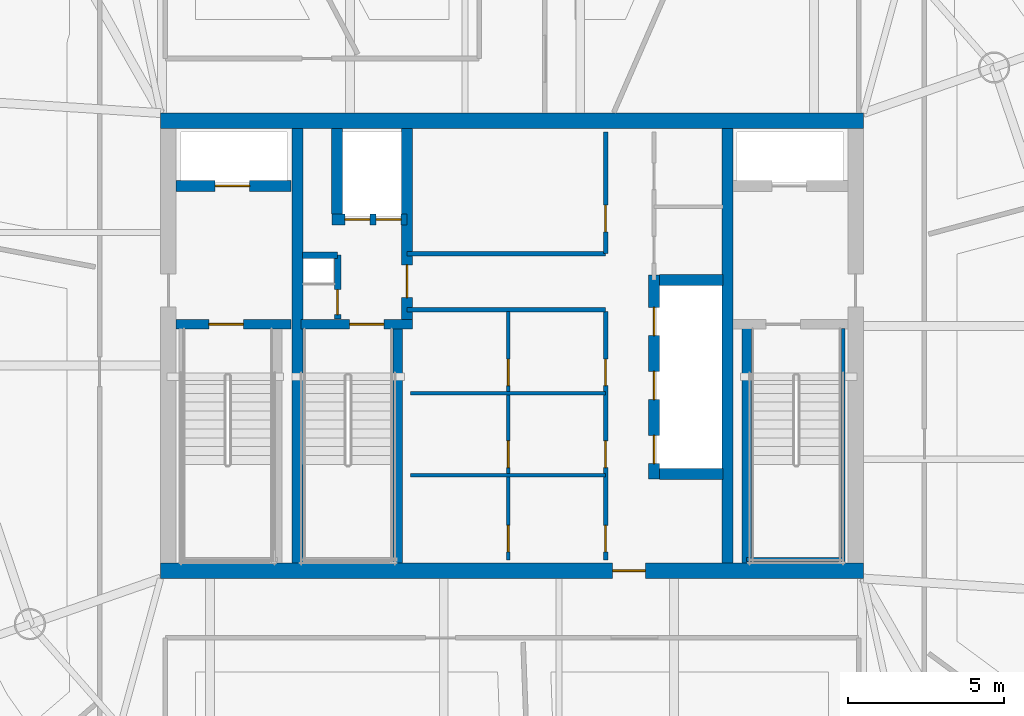
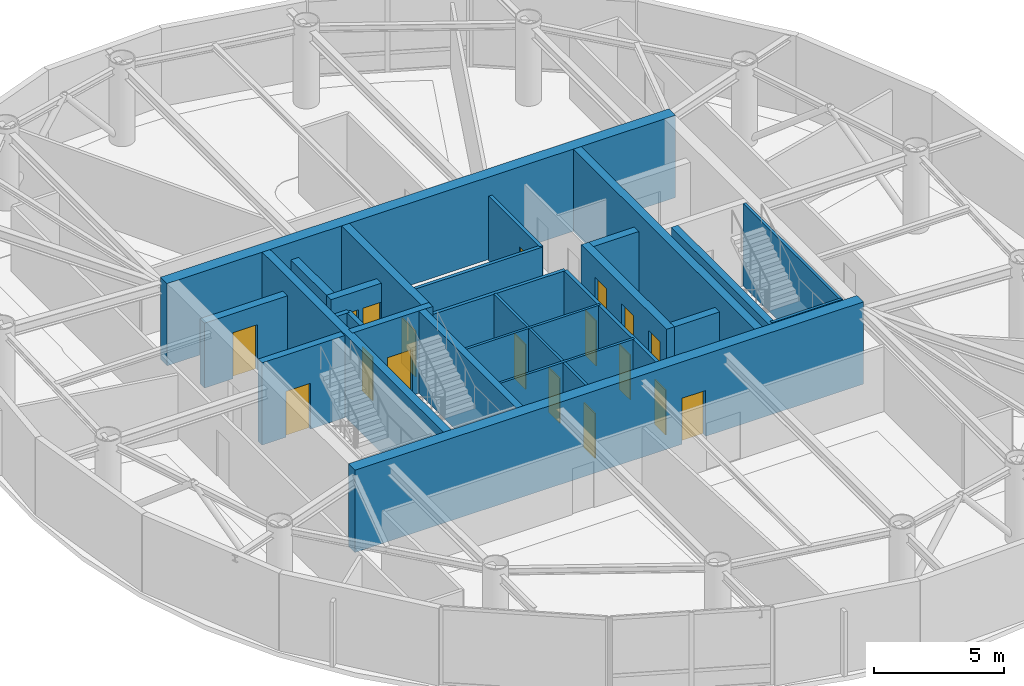
# One storey, part 15 of 20: 26 walls, 18 doors, 18 openings.
"""IFC4 building model written with IfcOpenShell, lengths in metres."""

from ifc_helpers import new_model, si_unit, direction, frame, frame_2d, origin, place, context, subcontext, project, spatial, rectangle, extrude, material, layer, layer_set, type_object, element, fill, save


model = new_model("IFC4")

# Units and contexts
model_context = context("Model", 3, precision=1e-05, world=origin(), true_north=direction((0.0, 1.0)))
body_context = subcontext(model_context, "Body", "Model", "MODEL_VIEW")
ifc_project = project(units=[si_unit("LENGTHUNIT", "METRE"), si_unit("AREAUNIT", "SQUARE_METRE"), si_unit("VOLUMEUNIT", "CUBIC_METRE"), si_unit("PLANEANGLEUNIT", "RADIAN"), si_unit("MASSUNIT", "GRAM", prefix="KILO")], contexts=[model_context])

# Site, building, storey
site_placement = place(None, origin())
site = spatial("IfcSite", under=ifc_project, at=site_placement, CompositionType="ELEMENT")
building_placement = place(site_placement, origin())
building = spatial("IfcBuilding", under=site, at=building_placement, Name="Bramvorn Convention Spire", CompositionType="ELEMENT")
storey_placement = place(building_placement, frame((0.0, 0.0, 269.0)))
storey = spatial("IfcBuildingStorey", under=building, at=storey_placement, Name="L68", CompositionType="ELEMENT", Elevation=269.0)

# Wall, opening, door
ifc_material_1 = material(Name="Concrete C50/60", Category="concrete")
ifc_layer_1 = layer(ifc_material_1, 0.5)
ifc_layer_set_1 = layer_set([ifc_layer_1], Name="Concrete C50/60 - WL-CORE-500")
wall_type_1 = type_object("IfcWallType", Name="WL-CORE-500", PredefinedType="SHEAR", material=ifc_layer_set_1)
wall_1_placement = place(storey_placement, frame((26.75, 18.800048828125, 0.0), z_axis=(0.0, 0.0, 1.0), x_axis=(1.0, 0.0, 0.0)))
wall_1 = element("IfcWall", 1, at=wall_1_placement, inside=storey, type_object=wall_type_1, Name="L68 South RC core shear wall", PredefinedType="SHEAR", context=body_context, shape_type="SweptSolid", body=[
    extrude(rectangle(XDim=22.5, YDim=0.5, at=frame_2d((11.25, 0.0))), origin(), (0.0, 0.0, 1.0), 3.85009765625),
])
opening_1_placement = place(wall_1_placement, frame((14.469970703125, 0.0, 0.0)))
opening_1 = element("IfcOpeningElement", 2, at=opening_1_placement, cuts=wall_1, Name="Opening DL-105", PredefinedType="OPENING", context=body_context, shape_type="SweptSolid", body=[
    extrude(rectangle(XDim=1.050048828125, YDim=2.14990234375, at=frame_2d((0.52490234375, 1.074951171875))), frame((0.0, 0.260009765625, 0.0), z_axis=(0.0, -1.0, 0.0), x_axis=(1.0, 0.0, 0.0)), (0.0, 0.0, 1.0), 0.52001953125),
])
ifc_material_2 = material(Name="Smoke-Sealed Fire Lobby Timber-Core Door", Category="wood")
door_type_1 = type_object("IfcDoorType", Name="DR-LOBBY-1050", OperationType="NOTDEFINED", PredefinedType="DOOR", material=ifc_material_2)
door_1_placement = place(opening_1_placement, origin())
door_1 = element("IfcDoor", 3, at=door_1_placement, inside=storey, type_object=door_type_1, Name="L68 South Lift Lobby fire door", OperationType="SINGLE_SWING_RIGHT", OverallHeight=2.14990234375, OverallWidth=1.050048828125, PredefinedType="DOOR", context=body_context, shape_type="SweptSolid", body=[
    extrude(rectangle(XDim=1.050048828125, YDim=2.14990234375, at=frame_2d((0.52490234375, 1.074951171875))), frame((0.0, 0.02490234375, 0.0), z_axis=(0.0, -1.0, 0.0), x_axis=(1.0, 0.0, 0.0)), (0.0, 0.0, 1.0), 0.050048828125),
])
fill(opening_1, door_1)

# Walls
wall_2_placement = place(storey_placement, frame((26.75, 33.199951171875, 0.0), z_axis=(0.0, 0.0, 1.0), x_axis=(1.0, 0.0, 0.0)))
element("IfcWall", 4, at=wall_2_placement, inside=storey, type_object=wall_type_1, Name="L68 North RC core shear wall", PredefinedType="SHEAR", context=body_context, shape_type="SweptSolid", body=[
    extrude(rectangle(XDim=22.5, YDim=0.5, at=frame_2d((11.25, 0.0))), origin(), (0.0, 0.0, 1.0), 3.85009765625),
])
ifc_layer_2 = layer(ifc_material_1, 0.35009765625)
ifc_layer_set_2 = layer_set([ifc_layer_2], Name="Concrete C50/60 - WL-CORE-INT-350")
wall_type_2 = type_object("IfcWallType", Name="WL-CORE-INT-350", PredefinedType="SHEAR", material=ifc_layer_set_2)
for number, where, z_axis, x_axis, name in (
    (5, (31.1298828125, 19.050048828125, 0.0), (0.0, 0.0, 1.0), (0.0, 1.0, 0.0), "L68 West internal core shear web"),
    (6, (44.89990234375, 19.050048828125, 0.0), (0.0, 0.0, 1.0), (0.0, 1.0, 0.0), "L68 East internal core shear web"),
):
    element("IfcWall", number, at=place(storey_placement, frame(where, z_axis=z_axis, x_axis=x_axis)), inside=storey, type_object=wall_type_2, Name=name, PredefinedType="SHEAR", context=body_context, shape_type="SweptSolid", body=[
        extrude(rectangle(XDim=13.89990234375, YDim=0.35009765625, at=frame_2d((6.949951171875, 0.0))), origin(), (0.0, 0.0, 1.0), 3.85009765625),
    ])

# Wall, opening, door
wall_3_placement = place(storey_placement, frame((27.25, 31.1201171875, 0.0), z_axis=(0.0, 0.0, 1.0), x_axis=(1.0, 0.0, 0.0)))
wall_3 = element("IfcWall", 7, at=wall_3_placement, inside=storey, type_object=wall_type_2, Name="L68 FE1 shaft front wall", PredefinedType="SHEAR", context=body_context, shape_type="SweptSolid", body=[
    extrude(rectangle(XDim=3.669921875, YDim=0.35009765625, at=frame_2d((1.8349609375, 0.0))), origin(), (0.0, 0.0, 1.0), 3.0400390625),
])
opening_2_placement = place(wall_3_placement, frame((1.25, 0.0, 0.0)))
opening_2 = element("IfcOpeningElement", 8, at=opening_2_placement, cuts=wall_3, Name="Opening LD-110", PredefinedType="OPENING", context=body_context, shape_type="SweptSolid", body=[
    extrude(rectangle(XDim=1.10009765625, YDim=2.14990234375, at=frame_2d((0.550048828125, 1.074951171875))), frame((0.0, 0.18505859375, 0.0), z_axis=(0.0, -1.0, 0.0), x_axis=(1.0, 0.0, 0.0)), (0.0, 0.0, 1.0), 0.3701171875),
])
ifc_material_3 = material(Name="Firefighting & Service Lift Sliding Landing Door", Category="steel")
door_type_2 = type_object("IfcDoorType", Name="DR-LIFT-LD-1100", OperationType="NOTDEFINED", PredefinedType="DOOR", material=ifc_material_3)
door_2_placement = place(opening_2_placement, origin())
door_2 = element("IfcDoor", 9, at=door_2_placement, inside=storey, type_object=door_type_2, Name="L68 Lift FE1 Sliding Landing Door", OperationType="SLIDING_TO_LEFT", OverallHeight=2.14990234375, OverallWidth=1.10009765625, PredefinedType="DOOR", context=body_context, shape_type="SweptSolid", body=[
    extrude(rectangle(XDim=1.10009765625, YDim=2.14990234375, at=frame_2d((0.550048828125, 1.074951171875))), frame((0.0, 0.02490234375, 0.0), z_axis=(0.0, -1.0, 0.0), x_axis=(1.0, 0.0, 0.0)), (0.0, 0.0, 1.0), 0.050048828125),
])
fill(opening_2, door_2)

wall_4_placement = place(storey_placement, frame((34.639892578125, 26.68994140625, 0.0), z_axis=(0.0, 0.0, 1.0), x_axis=(0.0, 1.0, 0.0)))
wall_4 = element("IfcWall", 10, at=wall_4_placement, inside=storey, type_object=wall_type_2, Name="L68 SV east core shaft wall", PredefinedType="SHEAR", context=body_context, shape_type="SweptSolid", body=[
    extrude(rectangle(XDim=6.260009765625, YDim=0.35009765625, at=frame_2d((3.1298828125, 0.0))), origin(), (0.0, 0.0, 1.0), 3.85009765625),
])
opening_3_placement = place(wall_4_placement, frame((0.85009765625, 0.0, 0.0)))
opening_3 = element("IfcOpeningElement", 11, at=opening_3_placement, cuts=wall_4, Name="Opening DL-105", PredefinedType="OPENING", context=body_context, shape_type="SweptSolid", body=[
    extrude(rectangle(XDim=1.050048828125, YDim=2.14990234375, at=frame_2d((0.52490234375, 1.074951171875))), frame((0.0, 0.18505859375, 0.0), z_axis=(0.0, -1.0, 0.0), x_axis=(1.0, 0.0, 0.0)), (0.0, 0.0, 1.0), 0.3701171875),
])
door_3_placement = place(opening_3_placement, origin())
door_3 = element("IfcDoor", 12, at=door_3_placement, inside=storey, type_object=door_type_1, Name="L68 Core cross-passage door", OperationType="SINGLE_SWING_RIGHT", OverallHeight=2.14990234375, OverallWidth=1.050048828125, PredefinedType="DOOR", context=body_context, shape_type="SweptSolid", body=[
    extrude(rectangle(XDim=1.050048828125, YDim=2.14990234375, at=frame_2d((0.52490234375, 1.074951171875))), frame((0.0, 0.02490234375, 0.0), z_axis=(0.0, -1.0, 0.0), x_axis=(1.0, 0.0, 0.0)), (0.0, 0.0, 1.0), 0.050048828125),
])
fill(opening_3, door_3)

# Wall, openings, doors
wall_5_placement = place(storey_placement, frame((32.22998046875, 30.050048828125, 0.0), z_axis=(0.0, 0.0, 1.0), x_axis=(1.0, 0.0, 0.0)))
wall_5 = element("IfcWall", 13, at=wall_5_placement, inside=storey, type_object=wall_type_2, Name="L68 SV1/SV2 shaft front wall", PredefinedType="SHEAR", context=body_context, shape_type="SweptSolid", body=[
    extrude(rectangle(XDim=2.409912109375, YDim=0.35009765625, at=frame_2d((1.205078125, 0.0))), origin(), (0.0, 0.0, 1.0), 3.0400390625),
])
opening_4_placement = place(wall_5_placement, frame((0.419921875, 0.0, 0.0)))
opening_4 = element("IfcOpeningElement", 14, at=opening_4_placement, cuts=wall_5, Name="Opening LD-080", PredefinedType="OPENING", context=body_context, shape_type="SweptSolid", body=[
    extrude(rectangle(XDim=0.800048828125, YDim=2.14990234375, at=frame_2d((0.39990234375, 1.074951171875))), frame((0.0, 0.18505859375, 0.0), z_axis=(0.0, -1.0, 0.0), x_axis=(1.0, 0.0, 0.0)), (0.0, 0.0, 1.0), 0.3701171875),
])
opening_5_placement = place(wall_5_placement, frame((1.419921875, 0.0, 0.0)))
opening_5 = element("IfcOpeningElement", 15, at=opening_5_placement, cuts=wall_5, Name="Opening LD-080", PredefinedType="OPENING", context=body_context, shape_type="SweptSolid", body=[
    extrude(rectangle(XDim=0.800048828125, YDim=2.14990234375, at=frame_2d((0.39990234375, 1.074951171875))), frame((0.0, 0.18505859375, 0.0), z_axis=(0.0, -1.0, 0.0), x_axis=(1.0, 0.0, 0.0)), (0.0, 0.0, 1.0), 0.3701171875),
])
ifc_material_4 = material(Name="Service Lift Bi-Parting Landing Door", Category="steel")
door_type_3 = type_object("IfcDoorType", Name="DR-LIFT-LD-800", OperationType="NOTDEFINED", PredefinedType="DOOR", material=ifc_material_4)
door_4_placement = place(opening_4_placement, origin())
door_4 = element("IfcDoor", 16, at=door_4_placement, inside=storey, type_object=door_type_3, Name="L68 Lift SV1 Sliding Landing Door", OperationType="SLIDING_TO_LEFT", OverallHeight=2.14990234375, OverallWidth=0.800048828125, PredefinedType="DOOR", context=body_context, shape_type="SweptSolid", body=[
    extrude(rectangle(XDim=0.800048828125, YDim=2.14990234375, at=frame_2d((0.39990234375, 1.074951171875))), frame((0.0, 0.02490234375, 0.0), z_axis=(0.0, -1.0, 0.0), x_axis=(1.0, 0.0, 0.0)), (0.0, 0.0, 1.0), 0.050048828125),
])
fill(opening_4, door_4)
door_5_placement = place(opening_5_placement, origin())
door_5 = element("IfcDoor", 17, at=door_5_placement, inside=storey, type_object=door_type_3, Name="L68 Lift SV2 Sliding Landing Door", OperationType="SLIDING_TO_LEFT", OverallHeight=2.14990234375, OverallWidth=0.800048828125, PredefinedType="DOOR", context=body_context, shape_type="SweptSolid", body=[
    extrude(rectangle(XDim=0.800048828125, YDim=2.14990234375, at=frame_2d((0.39990234375, 1.074951171875))), frame((0.0, 0.02490234375, 0.0), z_axis=(0.0, -1.0, 0.0), x_axis=(1.0, 0.0, 0.0)), (0.0, 0.0, 1.0), 0.050048828125),
])
fill(opening_5, door_5)

# Wall
wall_6_placement = place(storey_placement, frame((32.39990234375, 30.219970703125, 0.0), z_axis=(0.0, 0.0, 1.0), x_axis=(0.0, 1.0, 0.0)))
element("IfcWall", 18, at=wall_6_placement, inside=storey, type_object=wall_type_2, Name="L68 SV1 west hoistway wall", PredefinedType="SHEAR", context=body_context, shape_type="SweptSolid", body=[
    extrude(rectangle(XDim=2.72998046875, YDim=0.35009765625, at=frame_2d((1.364990234375, 0.0))), origin(), (0.0, 0.0, 1.0), 3.0400390625),
])

# Wall, openings, doors
wall_7_placement = place(storey_placement, frame((42.550048828125, 21.72998046875, 0.0), z_axis=(0.0, 0.0, 1.0), x_axis=(0.0, 1.0, 0.0)))
wall_7 = element("IfcWall", 19, at=wall_7_placement, inside=storey, type_object=wall_type_2, Name="L68 High-rise lift bank west wall", PredefinedType="SHEAR", context=body_context, shape_type="SweptSolid", body=[
    extrude(rectangle(XDim=6.5400390625, YDim=0.35009765625, at=frame_2d((3.27001953125, 0.0))), origin(), (0.0, 0.0, 1.0), 3.0400390625),
])
opening_6_placement = place(wall_7_placement, frame((0.5, 0.0, 0.0)))
opening_6 = element("IfcOpeningElement", 20, at=opening_6_placement, cuts=wall_7, Name="Opening LD-090", PredefinedType="OPENING", context=body_context, shape_type="SweptSolid", body=[
    extrude(rectangle(XDim=0.89990234375, YDim=2.14990234375, at=frame_2d((0.449951171875, 1.074951171875))), frame((0.0, 0.18505859375, 0.0), z_axis=(0.0, -1.0, 0.0), x_axis=(1.0, 0.0, 0.0)), (0.0, 0.0, 1.0), 0.3701171875),
])
opening_7_placement = place(wall_7_placement, frame((2.550048828125, 0.0, 0.0)))
opening_7 = element("IfcOpeningElement", 21, at=opening_7_placement, cuts=wall_7, Name="Opening LD-090", PredefinedType="OPENING", context=body_context, shape_type="SweptSolid", body=[
    extrude(rectangle(XDim=0.89990234375, YDim=2.14990234375, at=frame_2d((0.449951171875, 1.074951171875))), frame((0.0, 0.18505859375, 0.0), z_axis=(0.0, -1.0, 0.0), x_axis=(1.0, 0.0, 0.0)), (0.0, 0.0, 1.0), 0.3701171875),
])
opening_8_placement = place(wall_7_placement, frame((4.60009765625, 0.0, 0.0)))
opening_8 = element("IfcOpeningElement", 22, at=opening_8_placement, cuts=wall_7, Name="Opening LD-090", PredefinedType="OPENING", context=body_context, shape_type="SweptSolid", body=[
    extrude(rectangle(XDim=0.89990234375, YDim=2.14990234375, at=frame_2d((0.449951171875, 1.074951171875))), frame((0.0, 0.18505859375, 0.0), z_axis=(0.0, -1.0, 0.0), x_axis=(1.0, 0.0, 0.0)), (0.0, 0.0, 1.0), 0.3701171875),
])
ifc_material_5 = material(Name="Bi-Parting Fire-Rated Lift Landing Door", Category="steel")
door_type_4 = type_object("IfcDoorType", Name="DR-LIFT-LD-900", OperationType="NOTDEFINED", PredefinedType="DOOR", material=ifc_material_5)
door_6_placement = place(opening_6_placement, origin())
door_6 = element("IfcDoor", 23, at=door_6_placement, inside=storey, type_object=door_type_4, Name="L68 Lift PH1 Sliding Landing Door", OperationType="SLIDING_TO_LEFT", OverallHeight=2.14990234375, OverallWidth=0.89990234375, PredefinedType="DOOR", context=body_context, shape_type="SweptSolid", body=[
    extrude(rectangle(XDim=0.89990234375, YDim=2.14990234375, at=frame_2d((0.449951171875, 1.074951171875))), frame((0.0, 0.02490234375, 0.0), z_axis=(0.0, -1.0, 0.0), x_axis=(1.0, 0.0, 0.0)), (0.0, 0.0, 1.0), 0.050048828125),
])
fill(opening_6, door_6)
door_7_placement = place(opening_7_placement, origin())
door_7 = element("IfcDoor", 24, at=door_7_placement, inside=storey, type_object=door_type_4, Name="L68 Lift PH2 Sliding Landing Door", OperationType="SLIDING_TO_LEFT", OverallHeight=2.14990234375, OverallWidth=0.89990234375, PredefinedType="DOOR", context=body_context, shape_type="SweptSolid", body=[
    extrude(rectangle(XDim=0.89990234375, YDim=2.14990234375, at=frame_2d((0.449951171875, 1.074951171875))), frame((0.0, 0.02490234375, 0.0), z_axis=(0.0, -1.0, 0.0), x_axis=(1.0, 0.0, 0.0)), (0.0, 0.0, 1.0), 0.050048828125),
])
fill(opening_7, door_7)
door_8_placement = place(opening_8_placement, origin())
door_8 = element("IfcDoor", 25, at=door_8_placement, inside=storey, type_object=door_type_4, Name="L68 Lift PH3 Sliding Landing Door", OperationType="SLIDING_TO_LEFT", OverallHeight=2.14990234375, OverallWidth=0.89990234375, PredefinedType="DOOR", context=body_context, shape_type="SweptSolid", body=[
    extrude(rectangle(XDim=0.89990234375, YDim=2.14990234375, at=frame_2d((0.449951171875, 1.074951171875))), frame((0.0, 0.02490234375, 0.0), z_axis=(0.0, -1.0, 0.0), x_axis=(1.0, 0.0, 0.0)), (0.0, 0.0, 1.0), 0.050048828125),
])
fill(opening_8, door_8)

# Walls
for number, where, z_axis, x_axis, name in (
    (26, (42.719970703125, 21.89990234375, 0.0), (0.0, 0.0, 1.0), (1.0, 0.0, 0.0), "L68 High-rise lift bank south wall"),
    (27, (42.719970703125, 28.10009765625, 0.0), (0.0, 0.0, 1.0), (1.0, 0.0, 0.0), "L68 High-rise lift bank north wall"),
):
    element("IfcWall", number, at=place(storey_placement, frame(where, z_axis=z_axis, x_axis=x_axis)), inside=storey, type_object=wall_type_2, Name=name, PredefinedType="SHEAR", context=body_context, shape_type="SweptSolid", body=[
        extrude(rectangle(XDim=2.030029296875, YDim=0.35009765625, at=frame_2d((1.01513671875, 0.0))), origin(), (0.0, 0.0, 1.0), 3.0400390625),
    ])

# Wall, openings, doors
ifc_material_6 = material(Name="Lightweight En-Suite & Wet-Wall Partition", Category="gypsum")
ifc_layer_3 = layer(ifc_material_6, 0.110107421875)
ifc_layer_set_3 = layer_set([ifc_layer_3], Name="Lightweight En-Suite & Wet-Wall Partition - WL-PART-110")
wall_type_3 = type_object("IfcWallType", Name="WL-PART-110", PredefinedType="PARTITIONING", material=ifc_layer_set_3)
wall_8_placement = place(storey_placement, frame((37.8798828125, 19.14990234375, 0.0), z_axis=(0.0, 0.0, 1.0), x_axis=(0.0, 1.0, 0.0)))
wall_8 = element("IfcWall", 28, at=wall_8_placement, inside=storey, type_object=wall_type_3, Name="L68 KB center wall", PredefinedType="PARTITIONING", context=body_context, shape_type="SweptSolid", body=[
    extrude(rectangle(XDim=7.9501953125, YDim=0.110107421875, at=frame_2d((3.97509765625, 0.0))), origin(), (0.0, 0.0, 1.0), 3.0400390625),
])
opening_9_placement = place(wall_8_placement, frame((0.25, 0.0, 0.0)))
opening_9 = element("IfcOpeningElement", 29, at=opening_9_placement, cuts=wall_8, Name="Opening DC-085", PredefinedType="OPENING", context=body_context, shape_type="SweptSolid", body=[
    extrude(rectangle(XDim=0.85009765625, YDim=2.10009765625, at=frame_2d((0.425048828125, 1.050048828125))), frame((0.0, 0.06494140625, 0.0), z_axis=(0.0, -1.0, 0.0), x_axis=(1.0, 0.0, 0.0)), (0.0, 0.0, 1.0), 0.130126953125),
])
opening_10_placement = place(wall_8_placement, frame((2.952880859375, 0.0, 0.0)))
opening_10 = element("IfcOpeningElement", 30, at=opening_10_placement, cuts=wall_8, Name="Opening DC-085", PredefinedType="OPENING", context=body_context, shape_type="SweptSolid", body=[
    extrude(rectangle(XDim=0.85009765625, YDim=2.10009765625, at=frame_2d((0.425048828125, 1.050048828125))), frame((0.0, 0.06494140625, 0.0), z_axis=(0.0, -1.0, 0.0), x_axis=(1.0, 0.0, 0.0)), (0.0, 0.0, 1.0), 0.130126953125),
])
opening_11_placement = place(wall_8_placement, frame((5.576416015625, 0.0, 0.0)))
opening_11 = element("IfcOpeningElement", 31, at=opening_11_placement, cuts=wall_8, Name="Opening DC-085", PredefinedType="OPENING", context=body_context, shape_type="SweptSolid", body=[
    extrude(rectangle(XDim=0.85009765625, YDim=2.10009765625, at=frame_2d((0.425048828125, 1.050048828125))), frame((0.0, 0.06494140625, 0.0), z_axis=(0.0, -1.0, 0.0), x_axis=(1.0, 0.0, 0.0)), (0.0, 0.0, 1.0), 0.130126953125),
])
ifc_material_7 = material(Name="Fire-Rated Core Washroom & IDF Door", Category="wood")
door_type_5 = type_object("IfcDoorType", Name="DR-CORE-850", OperationType="NOTDEFINED", PredefinedType="DOOR", material=ifc_material_7)
door_9_placement = place(opening_9_placement, origin())
door_9 = element("IfcDoor", 32, at=door_9_placement, inside=storey, type_object=door_type_5, Name="L68 Core Linen Store door", OperationType="SINGLE_SWING_LEFT", OverallHeight=2.10009765625, OverallWidth=0.85009765625, PredefinedType="DOOR", context=body_context, shape_type="SweptSolid", body=[
    extrude(rectangle(XDim=0.85009765625, YDim=2.10009765625, at=frame_2d((0.425048828125, 1.050048828125))), frame((0.0, 0.02490234375, 0.0), z_axis=(0.0, -1.0, 0.0), x_axis=(1.0, 0.0, 0.0)), (0.0, 0.0, 1.0), 0.050048828125),
])
fill(opening_9, door_9)
door_10_placement = place(opening_10_placement, origin())
door_10 = element("IfcDoor", 33, at=door_10_placement, inside=storey, type_object=door_type_5, Name="L68 Core Metering Closet door", OperationType="SINGLE_SWING_LEFT", OverallHeight=2.10009765625, OverallWidth=0.85009765625, PredefinedType="DOOR", context=body_context, shape_type="SweptSolid", body=[
    extrude(rectangle(XDim=0.85009765625, YDim=2.10009765625, at=frame_2d((0.425048828125, 1.050048828125))), frame((0.0, 0.02490234375, 0.0), z_axis=(0.0, -1.0, 0.0), x_axis=(1.0, 0.0, 0.0)), (0.0, 0.0, 1.0), 0.050048828125),
])
fill(opening_10, door_10)
door_11_placement = place(opening_11_placement, origin())
door_11 = element("IfcDoor", 34, at=door_11_placement, inside=storey, type_object=door_type_5, Name="L68 Core Janitor Supply door", OperationType="SINGLE_SWING_LEFT", OverallHeight=2.10009765625, OverallWidth=0.85009765625, PredefinedType="DOOR", context=body_context, shape_type="SweptSolid", body=[
    extrude(rectangle(XDim=0.85009765625, YDim=2.10009765625, at=frame_2d((0.425048828125, 1.050048828125))), frame((0.0, 0.02490234375, 0.0), z_axis=(0.0, -1.0, 0.0), x_axis=(1.0, 0.0, 0.0)), (0.0, 0.0, 1.0), 0.050048828125),
])
fill(opening_11, door_11)

# Walls
for number, where, z_axis, x_axis, name in (
    (35, (34.75, 21.85302734375, 0.0), (0.0, 0.0, 1.0), (1.0, 0.0, 0.0), "L68 KB divider 1"),
    (36, (34.75, 24.4765625, 0.0), (0.0, 0.0, 1.0), (1.0, 0.0, 0.0), "L68 KB divider 2"),
):
    element("IfcWall", number, at=place(storey_placement, frame(where, z_axis=z_axis, x_axis=x_axis)), inside=storey, type_object=wall_type_3, Name=name, PredefinedType="PARTITIONING", context=body_context, shape_type="SweptSolid", body=[
        extrude(rectangle(XDim=6.25, YDim=0.110107421875, at=frame_2d((3.125, 0.0))), origin(), (0.0, 0.0, 1.0), 3.0400390625),
    ])
ifc_material_8 = material(Name="Acoustic Metal-Stud Tenant/Corridor Partition", Category="gypsum")
ifc_layer_4 = layer(ifc_material_8, 0.14990234375)
ifc_layer_set_4 = layer_set([ifc_layer_4], Name="Acoustic Metal-Stud Tenant/Corridor Partition - WL-PART-150")
wall_type_4 = type_object("IfcWallType", Name="WL-PART-150", PredefinedType="PARTITIONING", material=ifc_layer_set_4)
for number, where, z_axis, x_axis, name in (
    (37, (34.639892578125, 27.14990234375, 0.0), (0.0, 0.0, 1.0), (1.0, 0.0, 0.0), "L68 Cross-core passage south wall"),
    (38, (34.639892578125, 28.949951171875, 0.0), (0.0, 0.0, 1.0), (1.0, 0.0, 0.0), "L68 Cross-core passage north wall"),
):
    element("IfcWall", number, at=place(storey_placement, frame(where, z_axis=z_axis, x_axis=x_axis)), inside=storey, type_object=wall_type_4, Name=name, PredefinedType="PARTITIONING", context=body_context, shape_type="SweptSolid", body=[
        extrude(rectangle(XDim=6.360107421875, YDim=0.14990234375, at=frame_2d((3.18017578125, 0.0))), origin(), (0.0, 0.0, 1.0), 3.0400390625),
    ])

# Wall, opening, door
wall_9_placement = place(storey_placement, frame((41.0, 28.949951171875, 0.0), z_axis=(0.0, 0.0, 1.0), x_axis=(0.0, 1.0, 0.0)))
wall_9 = element("IfcWall", 39, at=wall_9_placement, inside=storey, type_object=wall_type_4, Name="L68 Freed north shaft room wall", PredefinedType="PARTITIONING", context=body_context, shape_type="SweptSolid", body=[
    extrude(rectangle(XDim=3.900146484375, YDim=0.14990234375, at=frame_2d((1.9501953125, 0.0))), origin(), (0.0, 0.0, 1.0), 3.0400390625),
])
opening_12_placement = place(wall_9_placement, frame((0.699951171875, 0.0, 0.0)))
opening_12 = element("IfcOpeningElement", 40, at=opening_12_placement, cuts=wall_9, Name="Opening DC-085", PredefinedType="OPENING", context=body_context, shape_type="SweptSolid", body=[
    extrude(rectangle(XDim=0.85009765625, YDim=2.10009765625, at=frame_2d((0.425048828125, 1.050048828125))), frame((0.0, 0.0849609375, 0.0), z_axis=(0.0, -1.0, 0.0), x_axis=(1.0, 0.0, 0.0)), (0.0, 0.0, 1.0), 0.169921875),
])
door_12_placement = place(opening_12_placement, origin())
door_12 = element("IfcDoor", 41, at=door_12_placement, inside=storey, type_object=door_type_5, Name="L68 North core archive door", OperationType="SINGLE_SWING_LEFT", OverallHeight=2.10009765625, OverallWidth=0.85009765625, PredefinedType="DOOR", context=body_context, shape_type="SweptSolid", body=[
    extrude(rectangle(XDim=0.85009765625, YDim=2.10009765625, at=frame_2d((0.425048828125, 1.050048828125))), frame((0.0, 0.02490234375, 0.0), z_axis=(0.0, -1.0, 0.0), x_axis=(1.0, 0.0, 0.0)), (0.0, 0.0, 1.0), 0.050048828125),
])
fill(opening_12, door_12)

# Wall, openings, doors
wall_10_placement = place(storey_placement, frame((41.0, 19.14990234375, 0.0), z_axis=(0.0, 0.0, 1.0), x_axis=(0.0, 1.0, 0.0)))
wall_10 = element("IfcWall", 42, at=wall_10_placement, inside=storey, type_object=wall_type_4, Name="L68 KB east core wall", PredefinedType="PARTITIONING", context=body_context, shape_type="SweptSolid", body=[
    extrude(rectangle(XDim=7.9501953125, YDim=0.14990234375, at=frame_2d((3.97509765625, 0.0))), origin(), (0.0, 0.0, 1.0), 3.0400390625),
])
opening_13_placement = place(wall_10_placement, frame((0.25, 0.0, 0.0)))
opening_13 = element("IfcOpeningElement", 43, at=opening_13_placement, cuts=wall_10, Name="Opening DC-085", PredefinedType="OPENING", context=body_context, shape_type="SweptSolid", body=[
    extrude(rectangle(XDim=0.85009765625, YDim=2.10009765625, at=frame_2d((0.425048828125, 1.050048828125))), frame((0.0, 0.0849609375, 0.0), z_axis=(0.0, -1.0, 0.0), x_axis=(1.0, 0.0, 0.0)), (0.0, 0.0, 1.0), 0.169921875),
])
opening_14_placement = place(wall_10_placement, frame((2.952880859375, 0.0, 0.0)))
opening_14 = element("IfcOpeningElement", 44, at=opening_14_placement, cuts=wall_10, Name="Opening DC-085", PredefinedType="OPENING", context=body_context, shape_type="SweptSolid", body=[
    extrude(rectangle(XDim=0.85009765625, YDim=2.10009765625, at=frame_2d((0.425048828125, 1.050048828125))), frame((0.0, 0.0849609375, 0.0), z_axis=(0.0, -1.0, 0.0), x_axis=(1.0, 0.0, 0.0)), (0.0, 0.0, 1.0), 0.169921875),
])
opening_15_placement = place(wall_10_placement, frame((5.576416015625, 0.0, 0.0)))
opening_15 = element("IfcOpeningElement", 45, at=opening_15_placement, cuts=wall_10, Name="Opening DC-085", PredefinedType="OPENING", context=body_context, shape_type="SweptSolid", body=[
    extrude(rectangle(XDim=0.85009765625, YDim=2.10009765625, at=frame_2d((0.425048828125, 1.050048828125))), frame((0.0, 0.0849609375, 0.0), z_axis=(0.0, -1.0, 0.0), x_axis=(1.0, 0.0, 0.0)), (0.0, 0.0, 1.0), 0.169921875),
])
door_13_placement = place(opening_13_placement, origin())
door_13 = element("IfcDoor", 46, at=door_13_placement, inside=storey, type_object=door_type_5, Name="L68 Accessible Core Restroom door", OperationType="SINGLE_SWING_LEFT", OverallHeight=2.10009765625, OverallWidth=0.85009765625, PredefinedType="DOOR", context=body_context, shape_type="SweptSolid", body=[
    extrude(rectangle(XDim=0.85009765625, YDim=2.10009765625, at=frame_2d((0.425048828125, 1.050048828125))), frame((0.0, 0.02490234375, 0.0), z_axis=(0.0, -1.0, 0.0), x_axis=(1.0, 0.0, 0.0)), (0.0, 0.0, 1.0), 0.050048828125),
])
fill(opening_13, door_13)
door_14_placement = place(opening_14_placement, origin())
door_14 = element("IfcDoor", 47, at=door_14_placement, inside=storey, type_object=door_type_5, Name="L68 Tenant Pantry & Copy Centre door", OperationType="SINGLE_SWING_LEFT", OverallHeight=2.10009765625, OverallWidth=0.85009765625, PredefinedType="DOOR", context=body_context, shape_type="SweptSolid", body=[
    extrude(rectangle(XDim=0.85009765625, YDim=2.10009765625, at=frame_2d((0.425048828125, 1.050048828125))), frame((0.0, 0.02490234375, 0.0), z_axis=(0.0, -1.0, 0.0), x_axis=(1.0, 0.0, 0.0)), (0.0, 0.0, 1.0), 0.050048828125),
])
fill(opening_14, door_14)
door_15_placement = place(opening_15_placement, origin())
door_15 = element("IfcDoor", 48, at=door_15_placement, inside=storey, type_object=door_type_5, Name="L68 Gender-Neutral Core WC door", OperationType="SINGLE_SWING_LEFT", OverallHeight=2.10009765625, OverallWidth=0.85009765625, PredefinedType="DOOR", context=body_context, shape_type="SweptSolid", body=[
    extrude(rectangle(XDim=0.85009765625, YDim=2.10009765625, at=frame_2d((0.425048828125, 1.050048828125))), frame((0.0, 0.02490234375, 0.0), z_axis=(0.0, -1.0, 0.0), x_axis=(1.0, 0.0, 0.0)), (0.0, 0.0, 1.0), 0.050048828125),
])
fill(opening_15, door_15)

# Wall, opening, door
ifc_material_9 = material(Name="Gypsum Shaftwall & Rockwool Core Partition", Category="gypsum")
ifc_layer_5 = layer(ifc_material_9, 0.199951171875)
ifc_layer_set_5 = layer_set([ifc_layer_5], Name="Gypsum Shaftwall & Rockwool Core Partition - WL-PART-200-FR")
wall_type_5 = type_object("IfcWallType", Name="WL-PART-200-FR", PredefinedType="PARTITIONING", material=ifc_layer_set_5)
wall_11_placement = place(storey_placement, frame((32.419921875, 26.860107421875, 0.0), z_axis=(0.0, 0.0, 1.0), x_axis=(0.0, 1.0, 0.0)))
wall_11 = element("IfcWall", 49, at=wall_11_placement, inside=storey, type_object=wall_type_5, Name="L68 Telecom riser east wall", PredefinedType="PARTITIONING", context=body_context, shape_type="SweptSolid", body=[
    extrude(rectangle(XDim=2.039794921875, YDim=0.199951171875, at=frame_2d((1.02001953125, 0.0))), origin(), (0.0, 0.0, 1.0), 3.0400390625),
])
opening_16_placement = place(wall_11_placement, frame((0.139892578125, 0.0, 0.0)))
opening_16 = element("IfcOpeningElement", 50, at=opening_16_placement, cuts=wall_11, Name="Opening DR-080", PredefinedType="OPENING", context=body_context, shape_type="SweptSolid", body=[
    extrude(rectangle(XDim=0.800048828125, YDim=2.050048828125, at=frame_2d((0.39990234375, 1.02490234375))), frame((0.0, 0.10986328125, 0.0), z_axis=(0.0, -1.0, 0.0), x_axis=(1.0, 0.0, 0.0)), (0.0, 0.0, 1.0), 0.219970703125),
])
ifc_material_10 = material(Name="Flush Steel Riser Access Door", Category="steel")
door_type_6 = type_object("IfcDoorType", Name="DR-RISER-800", OperationType="NOTDEFINED", PredefinedType="DOOR", material=ifc_material_10)
door_16_placement = place(opening_16_placement, origin())
door_16 = element("IfcDoor", 51, at=door_16_placement, inside=storey, type_object=door_type_6, Name="L68 Telecom riser access door", OperationType="SINGLE_SWING_RIGHT", OverallHeight=2.050048828125, OverallWidth=0.800048828125, PredefinedType="DOOR", context=body_context, shape_type="SweptSolid", body=[
    extrude(rectangle(XDim=0.800048828125, YDim=2.050048828125, at=frame_2d((0.39990234375, 1.02490234375))), frame((0.0, 0.02490234375, 0.0), z_axis=(0.0, -1.0, 0.0), x_axis=(1.0, 0.0, 0.0)), (0.0, 0.0, 1.0), 0.050048828125),
])
fill(opening_16, door_16)

# Wall
wall_12_placement = place(storey_placement, frame((31.300048828125, 28.89990234375, 0.0), z_axis=(0.0, 0.0, 1.0), x_axis=(1.0, 0.0, 0.0)))
element("IfcWall", 52, at=wall_12_placement, inside=storey, type_object=wall_type_5, Name="L68 Telecom riser north wall", PredefinedType="PARTITIONING", context=body_context, shape_type="SweptSolid", body=[
    extrude(rectangle(XDim=1.119873046875, YDim=0.199951171875, at=frame_2d((0.56005859375, 0.0))), origin(), (0.0, 0.0, 1.0), 3.0400390625),
])

# Wall, opening, door
ifc_layer_6 = layer(ifc_material_1, 0.300048828125)
ifc_layer_set_6 = layer_set([ifc_layer_6], Name="Concrete C50/60 - WL-POD-STAIR-300")
wall_type_6 = type_object("IfcWallType", Name="WL-POD-STAIR-300", PredefinedType="SHEAR", material=ifc_layer_set_6)
wall_13_placement = place(storey_placement, frame((27.25, 26.68994140625, 0.0), z_axis=(0.0, 0.0, 1.0), x_axis=(1.0, 0.0, 0.0)))
wall_13 = element("IfcWall", 53, at=wall_13_placement, inside=storey, type_object=wall_type_6, Name="L68 ST1 north fire wall", PredefinedType="SHEAR", context=body_context, shape_type="SweptSolid", body=[
    extrude(rectangle(XDim=3.669921875, YDim=0.300048828125, at=frame_2d((1.8349609375, 0.0))), origin(), (0.0, 0.0, 1.0), 3.85009765625),
])
opening_17_placement = place(wall_13_placement, frame((1.050048828125, 0.0, 0.0)))
opening_17 = element("IfcOpeningElement", 54, at=opening_17_placement, cuts=wall_13, Name="Opening DS-110", PredefinedType="OPENING", context=body_context, shape_type="SweptSolid", body=[
    extrude(rectangle(XDim=1.10009765625, YDim=2.14990234375, at=frame_2d((0.550048828125, 1.074951171875))), frame((0.0, 0.159912109375, 0.0), z_axis=(0.0, -1.0, 0.0), x_axis=(1.0, 0.0, 0.0)), (0.0, 0.0, 1.0), 0.320068359375),
])
ifc_material_11 = material(Name="Fire-Rated Hollow Steel Stairwell Door", Category="steel")
door_type_7 = type_object("IfcDoorType", Name="DR-STAIR-1100", OperationType="NOTDEFINED", PredefinedType="DOOR", material=ifc_material_11)
door_17_placement = place(opening_17_placement, origin())
door_17 = element("IfcDoor", 55, at=door_17_placement, inside=storey, type_object=door_type_7, Name="L68 Stair ST1 fire door", OperationType="SINGLE_SWING_LEFT", OverallHeight=2.14990234375, OverallWidth=1.10009765625, PredefinedType="DOOR", context=body_context, shape_type="SweptSolid", body=[
    extrude(rectangle(XDim=1.10009765625, YDim=2.14990234375, at=frame_2d((0.550048828125, 1.074951171875))), frame((0.0, 0.02490234375, 0.0), z_axis=(0.0, -1.0, 0.0), x_axis=(1.0, 0.0, 0.0)), (0.0, 0.0, 1.0), 0.050048828125),
])
fill(opening_17, door_17)

# Walls
for number, where, z_axis, x_axis, name in (
    (56, (45.510009765625, 19.050048828125, 0.0), (0.0, 0.0, 1.0), (0.0, 1.0, 0.0), "L68 ST2 west bearing wall"),
    (57, (34.340087890625, 19.050048828125, 0.0), (0.0, 0.0, 1.0), (0.0, 1.0, 0.0), "L68 ST3 east bearing wall"),
):
    element("IfcWall", number, at=place(storey_placement, frame(where, z_axis=z_axis, x_axis=x_axis)), inside=storey, type_object=wall_type_6, Name=name, PredefinedType="SHEAR", context=body_context, shape_type="SweptSolid", body=[
        extrude(rectangle(XDim=7.5, YDim=0.300048828125, at=frame_2d((3.75, 0.0))), origin(), (0.0, 0.0, 1.0), 3.85009765625),
    ])

# Wall, opening, door
wall_14_placement = place(storey_placement, frame((31.25, 26.68994140625, 0.0), z_axis=(0.0, 0.0, 1.0), x_axis=(1.0, 0.0, 0.0)))
wall_14 = element("IfcWall", 58, at=wall_14_placement, inside=storey, type_object=wall_type_6, Name="L68 ST3 north lobby wall", PredefinedType="SHEAR", context=body_context, shape_type="SweptSolid", body=[
    extrude(rectangle(XDim=3.56005859375, YDim=0.300048828125, at=frame_2d((1.780029296875, 0.0))), origin(), (0.0, 0.0, 1.0), 3.85009765625),
])
opening_18_placement = place(wall_14_placement, frame((1.550048828125, 0.0, 0.0)))
opening_18 = element("IfcOpeningElement", 59, at=opening_18_placement, cuts=wall_14, Name="Opening DS-110", PredefinedType="OPENING", context=body_context, shape_type="SweptSolid", body=[
    extrude(rectangle(XDim=1.10009765625, YDim=2.14990234375, at=frame_2d((0.550048828125, 1.074951171875))), frame((0.0, 0.159912109375, 0.0), z_axis=(0.0, -1.0, 0.0), x_axis=(1.0, 0.0, 0.0)), (0.0, 0.0, 1.0), 0.320068359375),
])
door_18_placement = place(opening_18_placement, origin())
door_18 = element("IfcDoor", 60, at=door_18_placement, inside=storey, type_object=door_type_7, Name="L68 Stair ST3 fire door", OperationType="SINGLE_SWING_LEFT", OverallHeight=2.14990234375, OverallWidth=1.10009765625, PredefinedType="DOOR", context=body_context, shape_type="SweptSolid", body=[
    extrude(rectangle(XDim=1.10009765625, YDim=2.14990234375, at=frame_2d((0.550048828125, 1.074951171875))), frame((0.0, 0.02490234375, 0.0), z_axis=(0.0, -1.0, 0.0), x_axis=(1.0, 0.0, 0.0)), (0.0, 0.0, 1.0), 0.050048828125),
])
fill(opening_18, door_18)

# Walls
ifc_layer_7 = layer(ifc_material_1, 0.1201171875)
ifc_layer_set_7 = layer_set([ifc_layer_7], Name="Concrete C50/60 - WL-STAIR-RC-120")
wall_type_7 = type_object("IfcWallType", Name="WL-STAIR-RC-120", PredefinedType="SHEAR", material=ifc_layer_set_7)
wall_15_placement = place(storey_placement, frame((48.60498046875, 19.10009765625, 0.0), z_axis=(0.0, 0.0, 1.0), x_axis=(0.0, 1.0, 0.0)))
element("IfcWall", 61, at=wall_15_placement, inside=storey, type_object=wall_type_7, Name="L68 ST2 east bearing shear wall", PredefinedType="SHEAR", context=body_context, shape_type="SweptSolid", body=[
    extrude(rectangle(XDim=7.449951171875, YDim=0.1201171875, at=frame_2d((3.72509765625, 0.0))), origin(), (0.0, 0.0, 1.0), 3.85009765625),
])
wall_16_placement = place(storey_placement, frame((45.510009765625, 19.159912109375, 0.0), z_axis=(0.0, 0.0, 1.0), x_axis=(1.0, 0.0, 0.0)))
element("IfcWall", 62, at=wall_16_placement, inside=storey, type_object=wall_type_7, Name="L68 ST2 south bearing shear wall", PredefinedType="SHEAR", context=body_context, shape_type="SweptSolid", body=[
    extrude(rectangle(XDim=3.094970703125, YDim=0.1201171875, at=frame_2d((1.54736328125, 0.0))), origin(), (0.0, 0.0, 1.0), 3.85009765625),
])

save(model, "model.ifc")
